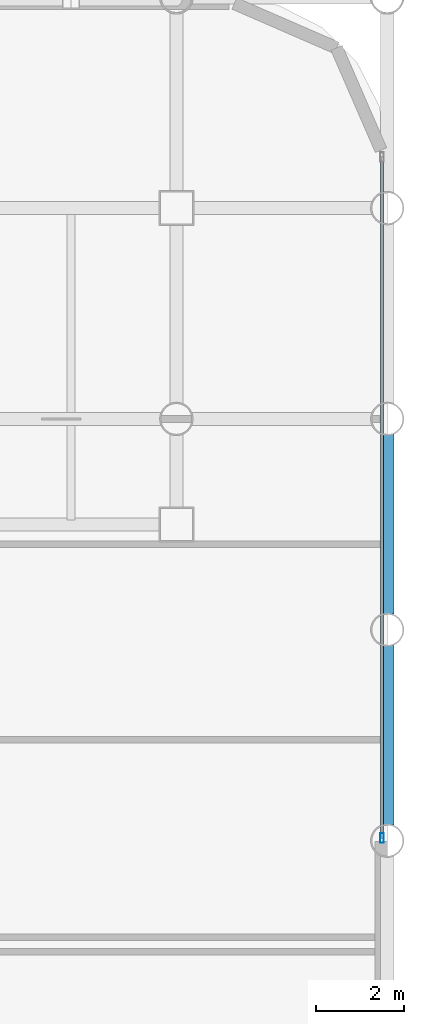
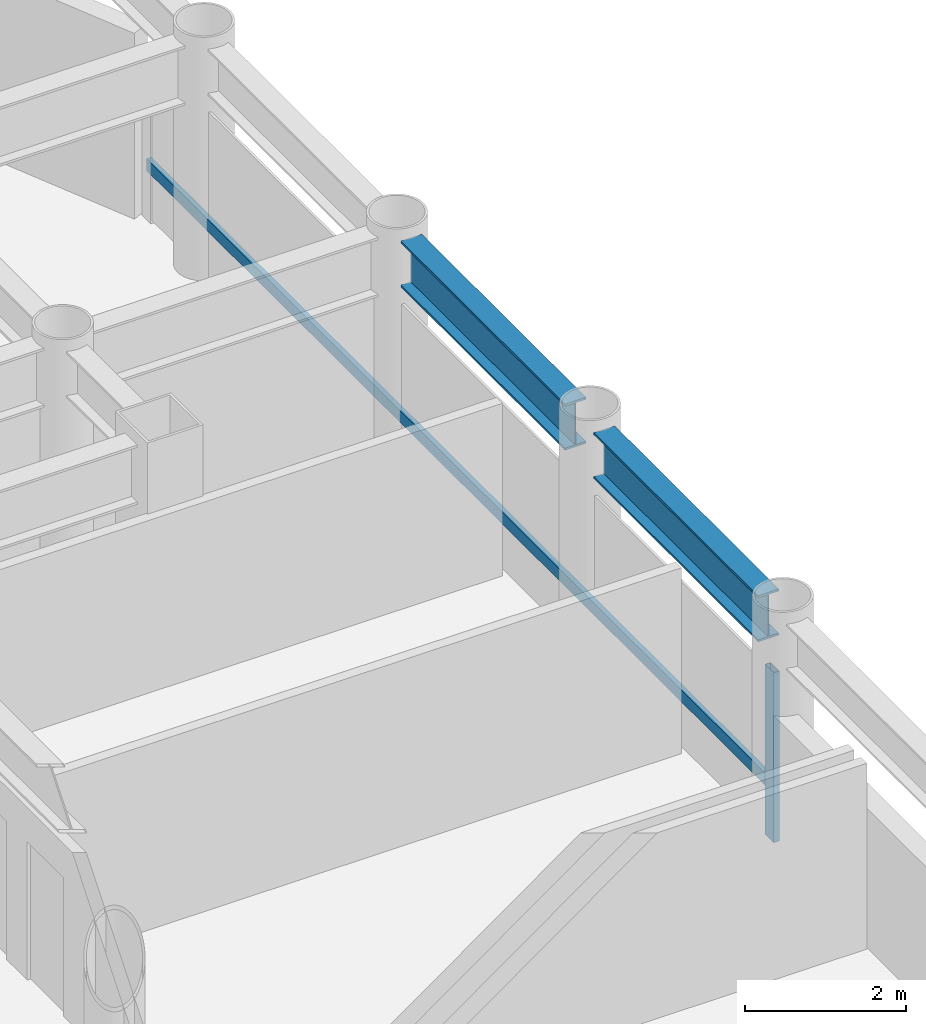
# One storey, part 8 of 21: 2 beams, 2 members, 1 element without a shape of its own.
"""IFC4 building model written with IfcOpenShell, lengths in metres."""

from ifc_helpers import new_model, si_unit, direction, frame, origin, origin_2d, place, context, subcontext, project, spatial, hollow_rectangle, i_section, extrude, material, layer, layer_set, material_profile, profile_set, type_object, element, aggregate, save


model = new_model("IFC4")

# Units and contexts
model_context = context("Model", 3, precision=1e-05, world=origin(), true_north=direction((0.0, 1.0)))
body_context = subcontext(model_context, "Body", "Model", "MODEL_VIEW")
ifc_project = project(units=[si_unit("LENGTHUNIT", "METRE"), si_unit("AREAUNIT", "SQUARE_METRE"), si_unit("VOLUMEUNIT", "CUBIC_METRE"), si_unit("PLANEANGLEUNIT", "RADIAN"), si_unit("MASSUNIT", "GRAM", prefix="KILO")], contexts=[model_context])

# Site, building, storey
site_placement = place(None, origin())
site = spatial("IfcSite", under=ifc_project, at=site_placement, CompositionType="ELEMENT")
building_placement = place(site_placement, origin())
building = spatial("IfcBuilding", under=site, at=building_placement, Name="Kallvorn Hotel Tower", CompositionType="ELEMENT")
storey_placement = place(building_placement, frame((0.0, 0.0, 52.199951171875)))
storey = spatial("IfcBuildingStorey", under=building, at=storey_placement, Name="L11", CompositionType="ELEMENT", Elevation=52.199951171875)

# Beams
ifc_material_1 = material(Name="Structural steel S355JR", Category="steel")
ifc_material_profile_1 = material_profile(ifc_material_1, i_section(OverallWidth=0.300048828125, OverallDepth=0.699951171875, WebThickness=0.01708984375, FlangeThickness=0.031982421875, at=origin_2d()), Name="HE 700 B")
ifc_profile_set_1 = profile_set([ifc_material_profile_1], Name="Structural steel S355JR")
beam_type = type_object("IfcBeamType", Name="BM_HE700B", PredefinedType="BEAM", material=ifc_profile_set_1)
beam_1_placement = place(storey_placement, frame((28.800048828125, 0.35595703125, 3.170166015625), z_axis=(0.0, 1.0, 0.0), x_axis=(-1.0, 0.0, 0.0)))
element("IfcBeam", 1, at=beam_1_placement, inside=storey, type_object=beam_type, Name="L12 Primary Y-Girder 147", PredefinedType="BEAM", context=body_context, shape_type="SweptSolid", body=[
    extrude(i_section(OverallWidth=0.300048828125, OverallDepth=0.699951171875, WebThickness=0.01708984375, FlangeThickness=0.031982421875, at=origin_2d()), origin(), (0.0, 0.0, 1.0), 4.088134765625),
])
beam_2_placement = place(storey_placement, frame((28.800048828125, 5.156005859375, 3.170166015625), z_axis=(0.0, 1.0, 0.0), x_axis=(-1.0, 0.0, 0.0)))
element("IfcBeam", 2, at=beam_2_placement, inside=storey, type_object=beam_type, Name="L12 Primary Y-Girder 148", PredefinedType="BEAM", context=body_context, shape_type="SweptSolid", body=[
    extrude(i_section(OverallWidth=0.300048828125, OverallDepth=0.699951171875, WebThickness=0.01708984375, FlangeThickness=0.031982421875, at=origin_2d()), origin(), (0.0, 0.0, 1.0), 4.087890625),
])

# Curtain wall, members
ifc_material_2 = material(Name="Thermally broken black-anodised aluminium AA 6063-T6", Category="aluminium")
ifc_layer = layer(ifc_material_2, 0.199951171875)
ifc_layer_set = layer_set([ifc_layer], Name="CW_SYS_3_HOTEL_LOW")
curtain_wall_type = type_object("IfcCurtainWallType", Name="CW_SYS_3_HOTEL_LOW", PredefinedType="USERDEFINED", material=ifc_layer_set)
curtain_wall_placement = place(storey_placement, origin())
curtain_wall = element("IfcCurtainWall", 3, at=curtain_wall_placement, inside=storey, type_object=curtain_wall_type, Name="L11 Dark-Glass Curtain Wall CW-L11-EN", ObjectType="UNITISED CURTAIN WALL", PredefinedType="USERDEFINED")
ifc_material_3 = material(Name="Thermally broken black-anodised aluminium AA 6063-T6", Category="aluminium")
ifc_material_profile_2 = material_profile(ifc_material_3, hollow_rectangle(XDim=0.080078125, YDim=0.219970703125, WallThickness=0.0048828125, at=origin_2d()), Name="MUL 220x80")
ifc_profile_set_2 = profile_set([ifc_material_profile_2], Name="Thermally broken black-anodised aluminium AA 6063-T6")
member_type_1 = type_object("IfcMemberType", Name="CW_MULLION_220x80", PredefinedType="MULLION", material=ifc_profile_set_2)
member_1_placement = place(storey_placement, frame((28.679931640625, 0.06005859375, 0.02001953125), z_axis=(0.0, 0.0, 1.0), x_axis=(1.0, 0.0, 0.0)))
member_1 = element("IfcMember", 4, at=member_1_placement, type_object=member_type_1, Name="CW-L11-EN Mullion 00", PredefinedType="MULLION", context=body_context, shape_type="SweptSolid", body=[
    extrude(hollow_rectangle(XDim=0.080078125, YDim=0.219970703125, WallThickness=0.0048828125, at=origin_2d()), origin(), (0.0, 0.0, 1.0), 2.580078125),
])
ifc_material_4 = material(Name="Thermally broken black-anodised aluminium AA 6063-T6", Category="aluminium")
ifc_material_profile_3 = material_profile(ifc_material_4, hollow_rectangle(XDim=0.070068359375, YDim=0.179931640625, WallThickness=0.00390625, at=origin_2d()), Name="TRN 180x70")
ifc_profile_set_3 = profile_set([ifc_material_profile_3], Name="Thermally broken black-anodised aluminium AA 6063-T6")
member_type_2 = type_object("IfcMemberType", Name="CW_TRANSOM_180x70", PredefinedType="USERDEFINED", material=ifc_profile_set_3)
member_2_placement = place(storey_placement, frame((28.679931640625, 0.06005859375, 0.85009765625), z_axis=(0.0, 1.0, 0.0), x_axis=(-1.0, 0.0, 0.0)))
member_2 = element("IfcMember", 5, at=member_2_placement, type_object=member_type_2, Name="CW-L11-EN Transom 00M", ObjectType="TRANSOM", PredefinedType="USERDEFINED", context=body_context, shape_type="SweptSolid", body=[
    extrude(hollow_rectangle(XDim=0.070068359375, YDim=0.179931640625, WallThickness=0.00390625, at=origin_2d()), origin(), (0.0, 0.0, 1.0), 15.5),
])
aggregate(curtain_wall, [member_1, member_2])

save(model, "model.ifc")
